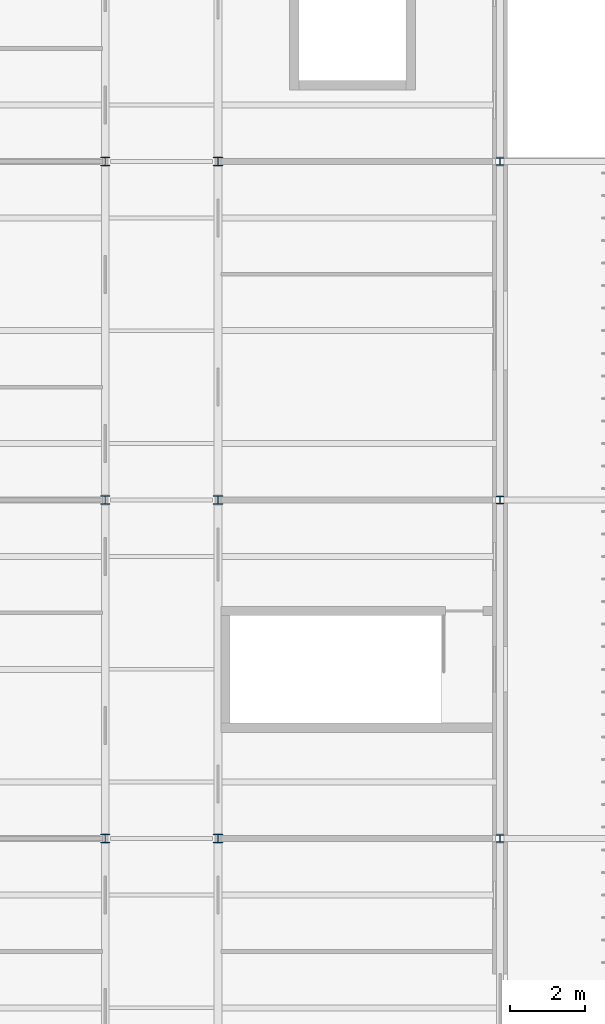
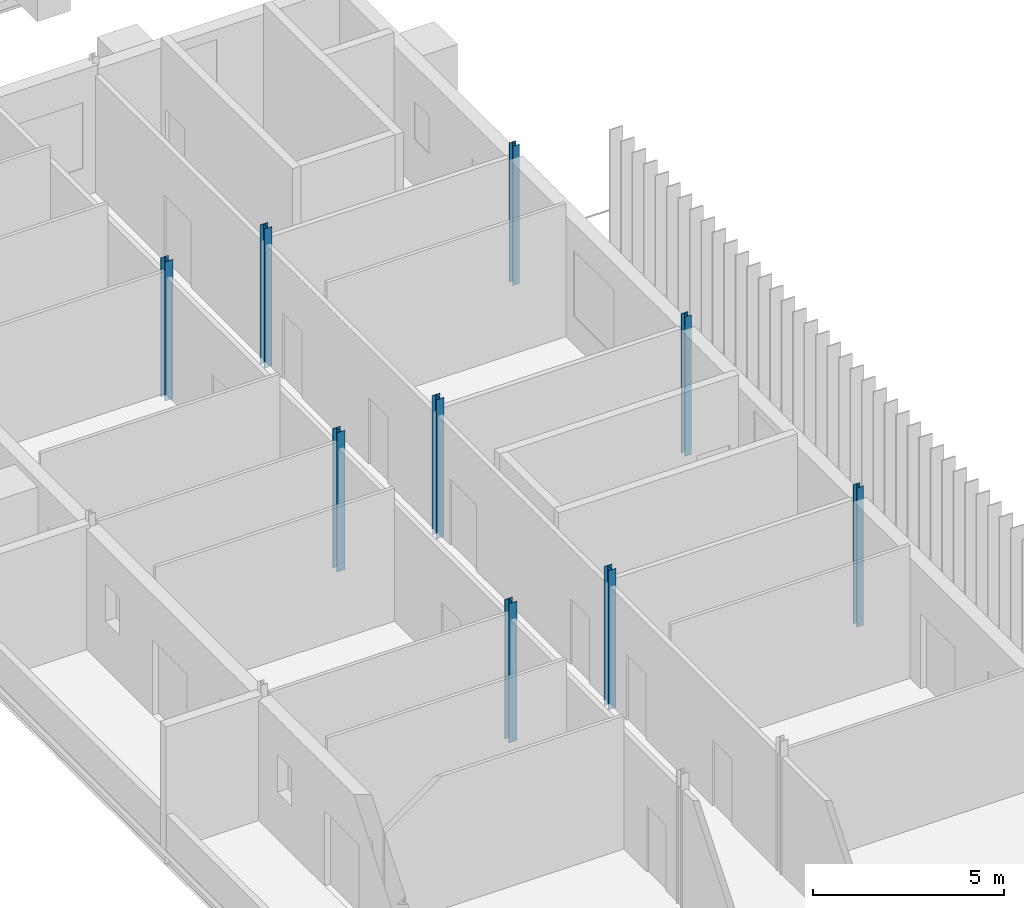
# One storey, part 20 of 131: 9 columns.
"""IFC4 building model written with IfcOpenShell, lengths in metres."""

from ifc_helpers import new_model, si_unit, direction, frame, origin, origin_2d, place, context, subcontext, project, spatial, i_section, extrude, material, material_profile, profile_set, type_object, element, save


model = new_model("IFC4")

# Units and contexts
model_context = context("Model", 3, precision=1e-05, world=origin(), true_north=direction((0.0, 1.0)))
body_context = subcontext(model_context, "Body", "Model", "MODEL_VIEW")
ifc_project = project(units=[si_unit("LENGTHUNIT", "METRE"), si_unit("AREAUNIT", "SQUARE_METRE"), si_unit("VOLUMEUNIT", "CUBIC_METRE"), si_unit("PLANEANGLEUNIT", "RADIAN"), si_unit("MASSUNIT", "GRAM", prefix="KILO")], contexts=[model_context])

# Site, building, storey
site_placement = place(None, origin())
site = spatial("IfcSite", under=ifc_project, at=site_placement, CompositionType="ELEMENT")
building_placement = place(site_placement, origin())
building = spatial("IfcBuilding", under=site, at=building_placement, Name="Golden Quay Civic Hall", CompositionType="ELEMENT")
storey_placement = place(building_placement, frame((0.0, 0.0, 9.89990234375)))
storey = spatial("IfcBuildingStorey", under=building, at=storey_placement, Name="L02", CompositionType="ELEMENT", Elevation=9.89990234375)

# Columns
ifc_material_1 = material(Name="Steel S355", Category="steel")
ifc_material_profile_1 = material_profile(ifc_material_1, i_section(OverallWidth=0.199951171875, OverallDepth=0.18994140625, WebThickness=0.006591796875, FlangeThickness=0.010009765625, FilletRadius=0.01806640625, at=origin_2d()), Name="HEA 200")
ifc_profile_set_1 = profile_set([ifc_material_profile_1], Name="Steel S355")
column_type_1 = type_object("IfcColumnType", Name="Steel column HEA 200", PredefinedType="COLUMN", material=ifc_profile_set_1)
for number, where, z_axis, x_axis, name in (
    (1, (171.0, 27.0, -0.199951171875), (0.0, 0.0, 1.0), (1.0, 0.0, 0.0), "Column 171/27 L02"),
    (2, (171.0, 36.0, -0.199951171875), (0.0, 0.0, 1.0), (1.0, 0.0, 0.0), "Column 171/36 L02"),
    (3, (171.0, 45.0, -0.199951171875), (0.0, 0.0, 1.0), (1.0, 0.0, 0.0), "Column 171/45 L02"),
):
    element("IfcColumn", number, at=place(storey_placement, frame(where, z_axis=z_axis, x_axis=x_axis)), inside=storey, type_object=column_type_1, Name=name, PredefinedType="COLUMN", context=body_context, shape_type="SweptSolid", body=[
        extrude(i_section(OverallWidth=0.199951171875, OverallDepth=0.18994140625, WebThickness=0.006591796875, FlangeThickness=0.010009765625, FilletRadius=0.01806640625, at=origin_2d()), origin(), (0.0, 0.0, 1.0), 4.449951171875),
    ])
ifc_material_2 = material(Name="Steel S355", Category="steel")
ifc_material_profile_2 = material_profile(ifc_material_2, i_section(OverallWidth=0.239990234375, OverallDepth=0.22998046875, WebThickness=0.007568359375, FlangeThickness=0.011962890625, FilletRadius=0.02099609375, at=origin_2d()), Name="HEA 240")
ifc_profile_set_2 = profile_set([ifc_material_profile_2], Name="Steel S355")
column_type_2 = type_object("IfcColumnType", Name="Steel column HEA 240", PredefinedType="COLUMN", material=ifc_profile_set_2)
for number, where, z_axis, x_axis, name in (
    (4, (160.5, 27.0, -0.199951171875), (0.0, 0.0, 1.0), (1.0, 0.0, 0.0), "Column 160.5/27 L02"),
    (5, (160.5, 36.0, -0.199951171875), (0.0, 0.0, 1.0), (1.0, 0.0, 0.0), "Column 160.5/36 L02"),
    (6, (160.5, 45.0, -0.199951171875), (0.0, 0.0, 1.0), (1.0, 0.0, 0.0), "Column 160.5/45 L02"),
    (7, (163.5, 27.0, -0.199951171875), (0.0, 0.0, 1.0), (1.0, 0.0, 0.0), "Column 163.5/27 L02"),
    (8, (163.5, 36.0, -0.199951171875), (0.0, 0.0, 1.0), (1.0, 0.0, 0.0), "Column 163.5/36 L02"),
    (9, (163.5, 45.0, -0.199951171875), (0.0, 0.0, 1.0), (1.0, 0.0, 0.0), "Column 163.5/45 L02"),
):
    element("IfcColumn", number, at=place(storey_placement, frame(where, z_axis=z_axis, x_axis=x_axis)), inside=storey, type_object=column_type_2, Name=name, PredefinedType="COLUMN", context=body_context, shape_type="SweptSolid", body=[
        extrude(i_section(OverallWidth=0.239990234375, OverallDepth=0.22998046875, WebThickness=0.007568359375, FlangeThickness=0.011962890625, FilletRadius=0.02099609375, at=origin_2d()), origin(), (0.0, 0.0, 1.0), 4.449951171875),
    ])

save(model, "model.ifc")
